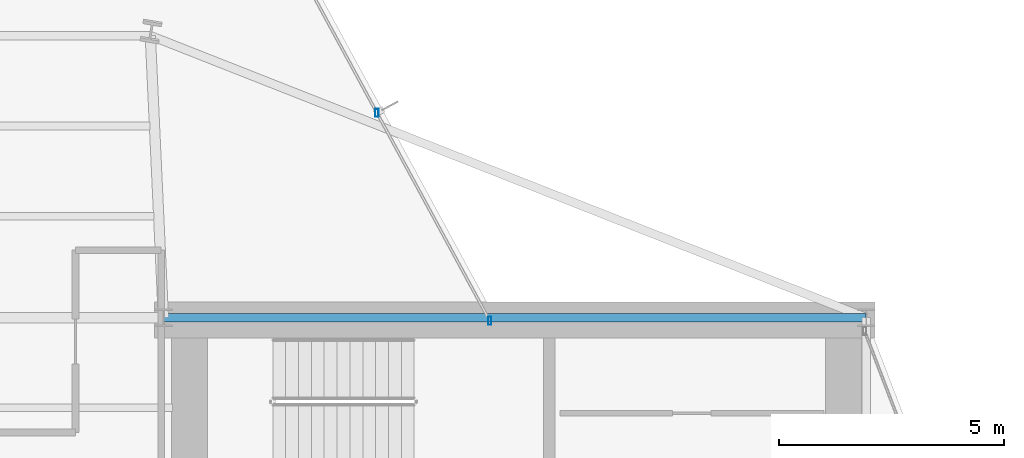
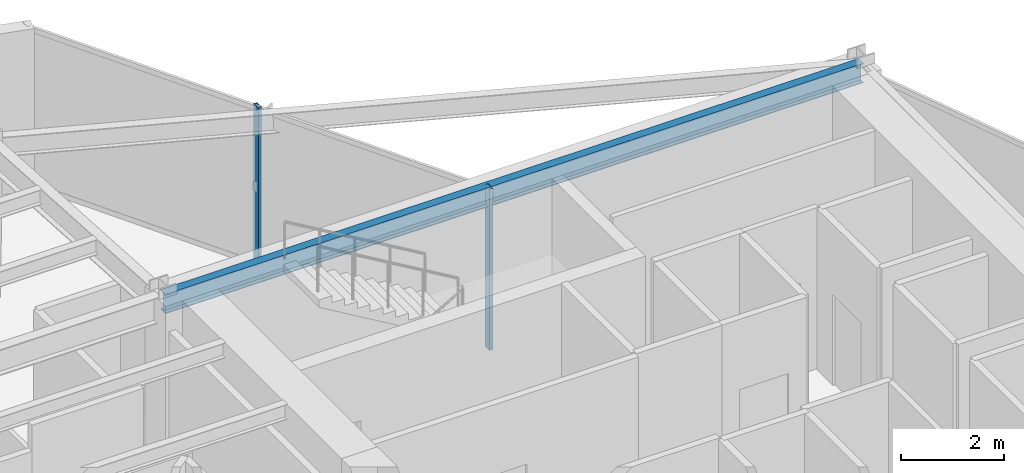
# One storey, part 16 of 26: 2 members, 1 beam, 1 element without a shape of its own.
"""IFC4 building model written with IfcOpenShell, lengths in metres."""

import ifcopenshell
import ifcopenshell.guid

model = None  # the IFC model being written
_history = None  # IfcOwnerHistory: only IFC2X3 demands one
_inside = {}  # id of a spatial element -> (the spatial element, [elements in it])
_under = {}  # id of a project, library or spatial element -> (it, [spatial elements below it])
_declared = {}  # id of a project -> (the project, [libraries it declares])
_typed = {}  # id of a type object -> (the type object, [elements of that type])
_made_of = {}  # id of a material, layer set ... -> (it, [elements and type objects made of it])


def new_model(schema):
    """Start an empty IFC model of exactly this schema.

    Asked for "IFC4X3", IfcOpenShell would pick the latest addendum, in which some entities
    have other attributes; the version numbers below select the first issue.
    IFC2X3 requires an IfcOwnerHistory on every rooted entity: one is made here for all.
    """
    global model, _history
    if schema == "IFC4X3":
        model = ifcopenshell.file(schema_version=(4, 3, 0, 0))
    else:
        model = ifcopenshell.file(schema=schema)
    _inside.clear()
    _under.clear()
    _declared.clear()
    _typed.clear()
    _made_of.clear()
    _history = None
    if model.schema == "IFC2X3":
        org = make("IfcOrganization", Name="unknown")
        user = make(
            "IfcPersonAndOrganization",
            ThePerson=make("IfcPerson", FamilyName="unknown"),
            TheOrganization=org,
        )
        app = make(
            "IfcApplication",
            ApplicationDeveloper=org,
            Version="unknown",
            ApplicationFullName="unknown",
            ApplicationIdentifier="unknown",
        )
        _history = make(
            "IfcOwnerHistory",
            OwningUser=user,
            OwningApplication=app,
            ChangeAction="ADDED",
            CreationDate=0,
        )
    return model


def make(cls, **values):
    """One entity of the class cls with the attributes given. An attribute that is None is left unset."""
    return model.create_entity(
        cls, **{name: value for name, value in values.items() if value is not None}
    )


def rooted(cls, **values):
    """An entity with a GlobalId (a new one), such as an element, a storey or a relation."""
    return make(cls, GlobalId=ifcopenshell.guid.new(), OwnerHistory=_history, **values)


def si_unit(unit_type, name, prefix=None):
    """IfcSIUnit, for example si_unit("LENGTHUNIT", "METRE", prefix="MILLI")."""
    return make("IfcSIUnit", UnitType=unit_type, Prefix=prefix, Name=name)


def assignment(units):
    """IfcUnitAssignment: the units of a project."""
    return None if units is None else make("IfcUnitAssignment", Units=units)


def point(xyz):
    """IfcCartesianPoint."""
    return None if xyz is None else make("IfcCartesianPoint", Coordinates=xyz)


def direction(xyz):
    """IfcDirection."""
    return None if xyz is None else make("IfcDirection", DirectionRatios=xyz)


def frame(location, z_axis=None, x_axis=None):
    """IfcAxis2Placement3D, a coordinate frame: its origin and axes. An axis left out is left unset."""
    return make(
        "IfcAxis2Placement3D",
        Location=point(location),
        Axis=direction(z_axis),
        RefDirection=direction(x_axis),
    )


def frame_2d(location, x_axis=None):
    """IfcAxis2Placement2D, a coordinate frame in the plane: its origin and x axis."""
    return make(
        "IfcAxis2Placement2D", Location=point(location), RefDirection=direction(x_axis)
    )


def origin():
    """The frame at (0, 0, 0) with its axes left unset."""
    return frame((0.0, 0.0, 0.0))


def origin_2d():
    """The frame at (0, 0) in the plane with its x axis left unset."""
    return frame_2d((0.0, 0.0))


def place(relative_to, where):
    """IfcLocalPlacement: puts the frame where relative to a parent placement (None: the world)."""
    return make(
        "IfcLocalPlacement", PlacementRelTo=relative_to, RelativePlacement=where
    )


def context(
    kind, dimensions, precision=None, world=None, true_north=None, identifier=None
):
    """IfcGeometricRepresentationContext, for example the 3D "Model" context."""
    return make(
        "IfcGeometricRepresentationContext",
        ContextIdentifier=identifier,
        ContextType=kind,
        CoordinateSpaceDimension=dimensions,
        Precision=precision,
        WorldCoordinateSystem=world,
        TrueNorth=true_north,
    )


def subcontext(parent, identifier, kind, view, scale=None):
    """IfcGeometricRepresentationSubContext, for example "Body" below "Model"."""
    return make(
        "IfcGeometricRepresentationSubContext",
        ContextIdentifier=identifier,
        ContextType=kind,
        ParentContext=parent,
        TargetScale=scale,
        TargetView=view,
    )


def project(units=None, contexts=None):
    """IfcProject with its units and contexts."""
    return rooted(
        "IfcProject",
        Name="project",
        RepresentationContexts=contexts,
        UnitsInContext=assignment(units),
    )


def spatial(cls, under=None, at=None, **own):
    """A site, building, storey or space (cls), placed at a placement, below another one or the project."""
    s = rooted(cls, ObjectPlacement=at, **own)
    if under is not None:
        _under.setdefault(under.id(), (under, []))[1].append(s)
    return s


def profile(cls, at=None, kind="AREA", **sizes):
    """A parametric profile (cls). Its sizes go by their IFC names, for example OverallWidth=200.0."""
    return make(cls, ProfileType=kind, Position=at, **sizes)


def hollow_rectangle(**sizes):
    """IfcRectangleHollowProfileDef."""
    return profile("IfcRectangleHollowProfileDef", **sizes)


def i_section(**sizes):
    """IfcIShapeProfileDef."""
    return profile("IfcIShapeProfileDef", **sizes)


def extrude(swept, where, along, depth):
    """IfcExtrudedAreaSolid: the profile swept, set in the frame where, extruded along a direction by depth."""
    return make(
        "IfcExtrudedAreaSolid",
        SweptArea=swept,
        Position=where,
        ExtrudedDirection=direction(along),
        Depth=depth,
    )


def shape(context_of_items, identifier, shape_type, items):
    """IfcShapeRepresentation: the items that make up one representation, for example the "Body"."""
    return make(
        "IfcShapeRepresentation",
        ContextOfItems=context_of_items,
        RepresentationIdentifier=identifier,
        RepresentationType=shape_type,
        Items=items,
    )


def material(Name=None, Category=None):
    """IfcMaterial."""
    return make("IfcMaterial", Name=Name, Category=Category)


def layer(
    of_material, thickness, ventilated=None, Name=None, Category=None, Priority=None
):
    """IfcMaterialLayer: one layer of a wall or slab, of a material (None: an air gap)."""
    return make(
        "IfcMaterialLayer",
        Material=of_material,
        LayerThickness=thickness,
        IsVentilated=ventilated,
        Name=Name,
        Category=Category,
        Priority=Priority,
    )


def layer_set(layers, Name=None):
    """IfcMaterialLayerSet."""
    return make("IfcMaterialLayerSet", MaterialLayers=layers, LayerSetName=Name)


def material_profile(
    of_material, cross_section, Name=None, Category=None, Priority=None
):
    """IfcMaterialProfile: a cross section and its material."""
    return make(
        "IfcMaterialProfile",
        Name=Name,
        Material=of_material,
        Profile=cross_section,
        Priority=Priority,
        Category=Category,
    )


def profile_set(profiles, Name=None, composite=None):
    """IfcMaterialProfileSet."""
    return make(
        "IfcMaterialProfileSet",
        Name=Name,
        MaterialProfiles=profiles,
        CompositeProfile=composite,
    )


def made_of(thing, what):
    """Note that an element or type object is made of a material, layer set ...; save() writes the relation."""
    if what is not None:
        _made_of.setdefault(what.id(), (what, []))[1].append(thing)
    return thing


def type_object(cls, material=None, **own):
    """A type object (cls), such as IfcWallType, which elements share."""
    return made_of(rooted(cls, **own), material)


def element(
    cls,
    number,
    at=None,
    inside=None,
    cuts=None,
    type_object=None,
    material=None,
    context=None,
    identifier="Body",
    shape_type=None,
    held_by="IfcProductDefinitionShape",
    body=None,
    shapes=None,
    **own,
):
    """One element of the class cls, such as IfcWall. Its Tag is "e" and its number.

    at: its placement. inside: the storey or other place that contains it. cuts: it is an
    opening in that element (IfcRelVoidsElement). A single representation is given by context,
    identifier, shape_type and body (its items); several are given by shapes. held_by: the class
    of the entity that holds the representations. save() writes the other relations.
    """
    e = rooted(cls, Tag="e%d" % number, ObjectPlacement=at, **own)
    if body is not None:
        shapes = [shape(context, identifier, shape_type, body)]
    if shapes is not None:
        e.Representation = make(held_by, Representations=shapes)
    if inside is not None:
        _inside.setdefault(inside.id(), (inside, []))[1].append(e)
    if cuts is not None:
        rooted(
            "IfcRelVoidsElement", RelatingBuildingElement=cuts, RelatedOpeningElement=e
        )
    if type_object is not None:
        _typed.setdefault(type_object.id(), (type_object, []))[1].append(e)
    return made_of(e, material)


def aggregate(whole, parts):
    """IfcRelAggregates: a whole, such as a stair, and the parts it consists of."""
    return rooted("IfcRelAggregates", RelatingObject=whole, RelatedObjects=parts)


def save(model, path):
    """Write the relations noted so far, then the file.

    IfcRelAggregates (storeys below a building ...), IfcRelContainedInSpatialStructure (elements
    in a storey), IfcRelDefinesByType, IfcRelAssociatesMaterial and IfcRelDeclares: one each for
    every whole, place, type object, material and project.
    """
    for whole, parts in _under.values():
        aggregate(whole, parts)
    for where, things in _inside.values():
        rooted(
            "IfcRelContainedInSpatialStructure",
            RelatedElements=things,
            RelatingStructure=where,
        )
    for kind, things in _typed.values():
        rooted("IfcRelDefinesByType", RelatedObjects=things, RelatingType=kind)
    for what, things in _made_of.values():
        rooted("IfcRelAssociatesMaterial", RelatedObjects=things, RelatingMaterial=what)
    for by, libraries in _declared.values():
        rooted("IfcRelDeclares", RelatingContext=by, RelatedDefinitions=libraries)
    model.write(path)


model = new_model("IFC4")

# Units and contexts
model_context = context("Model", 3, precision=1e-05, world=origin(), true_north=direction((0.0, 1.0)))
body_context = subcontext(model_context, "Body", "Model", "MODEL_VIEW")
ifc_project = project(units=[si_unit("LENGTHUNIT", "METRE"), si_unit("AREAUNIT", "SQUARE_METRE"), si_unit("VOLUMEUNIT", "CUBIC_METRE"), si_unit("PLANEANGLEUNIT", "RADIAN"), si_unit("MASSUNIT", "GRAM", prefix="KILO")], contexts=[model_context])

# Site, building, storey
site_placement = place(None, origin())
site = spatial("IfcSite", under=ifc_project, at=site_placement, CompositionType="ELEMENT")
building_placement = place(site_placement, origin())
building = spatial("IfcBuilding", under=site, at=building_placement, Name="Veymaron Broadcast Tower", CompositionType="ELEMENT")
storey_placement = place(building_placement, frame((0.0, 0.0, 157.35009765625)))
storey = spatial("IfcBuildingStorey", under=building, at=storey_placement, Name="L36", CompositionType="ELEMENT", Elevation=157.35009765625)

# Beam
ifc_material_1 = material(Name="Structural steel ASTM A992 Gr 50", Category="steel")
ifc_material_profile_1 = material_profile(ifc_material_1, i_section(OverallWidth=0.19091796875, OverallDepth=0.4599609375, WebThickness=0.010009765625, FlangeThickness=0.01611328125, at=origin_2d()), Name="W460X82")
ifc_profile_set_1 = profile_set([ifc_material_profile_1], Name="Structural steel ASTM A992 Gr 50")
beam_type = type_object("IfcBeamType", Name="BM-SP1", PredefinedType="SPANDREL", material=ifc_profile_set_1)
beam_placement = place(storey_placement, frame((39.0, 32.0, 3.579833984375), z_axis=(1.0, 0.0, 0.0), x_axis=(0.0, 1.0, 0.0)))
element("IfcBeam", 1, at=beam_placement, inside=storey, type_object=beam_type, Name="L36 primary structural floor girder", PredefinedType="SPANDREL", context=body_context, shape_type="SweptSolid", body=[
    extrude(i_section(OverallWidth=0.19091796875, OverallDepth=0.4599609375, WebThickness=0.010009765625, FlangeThickness=0.01611328125, at=origin_2d()), origin(), (0.0, 0.0, 1.0), 15.60009765625),
])

# Curtain wall, members
ifc_material_2 = material(Name="Anodised aluminium AA 6063-T6 and laminated low-E dark glass", Category="aluminium")
ifc_layer = layer(ifc_material_2, 0.179931640625)
ifc_layer_set = layer_set([ifc_layer], Name="Anodised aluminium AA 6063-T6 and laminated low-E dark glass")
curtain_wall_type = type_object("IfcCurtainWallType", Name="CW-SYS-03", PredefinedType="NOTDEFINED", material=ifc_layer_set)
curtain_wall_placement = place(storey_placement, origin())
curtain_wall = element("IfcCurtainWall", 2, at=curtain_wall_placement, inside=storey, type_object=curtain_wall_type, Name="L36 dark-glass curtain wall CW-L36-E5-1", PredefinedType="NOTDEFINED")
ifc_material_3 = material(Name="Anodised aluminium AA 6063-T6", Category="aluminium")
ifc_material_profile_2 = material_profile(ifc_material_3, hollow_rectangle(XDim=0.074951171875, YDim=0.179931640625, WallThickness=0.0048828125, at=origin_2d()), Name="AL180X75X5")
ifc_profile_set_2 = profile_set([ifc_material_profile_2], Name="Anodised aluminium AA 6063-T6")
member_type = type_object("IfcMemberType", Name="CW-MUL-02", PredefinedType="MULLION", material=ifc_profile_set_2)
member_1_placement = place(storey_placement, frame((46.242919921875, 31.93310546875, 0.0), z_axis=(0.0, 0.0, 1.0), x_axis=(1.0, 0.0, 0.0)))
member_1 = element("IfcMember", 3, at=member_1_placement, type_object=member_type, Name="CW-L36-E5-1 mullion 0", PredefinedType="MULLION", context=body_context, shape_type="SweptSolid", body=[
    extrude(hollow_rectangle(XDim=0.074951171875, YDim=0.179931640625, WallThickness=0.0048828125, at=origin_2d()), origin(), (0.0, 0.0, 1.0), 3.809814453125),
])
member_2_placement = place(storey_placement, frame((43.740234375, 36.546875, 0.0), z_axis=(0.0, 0.0, 1.0), x_axis=(1.0, 0.0, 0.0)))
member_2 = element("IfcMember", 4, at=member_2_placement, type_object=member_type, Name="CW-L36-E5-1 mullion 1", PredefinedType="MULLION", context=body_context, shape_type="SweptSolid", body=[
    extrude(hollow_rectangle(XDim=0.074951171875, YDim=0.179931640625, WallThickness=0.0048828125, at=origin_2d()), origin(), (0.0, 0.0, 1.0), 3.809814453125),
])
aggregate(curtain_wall, [member_1, member_2])

save(model, "model.ifc")
